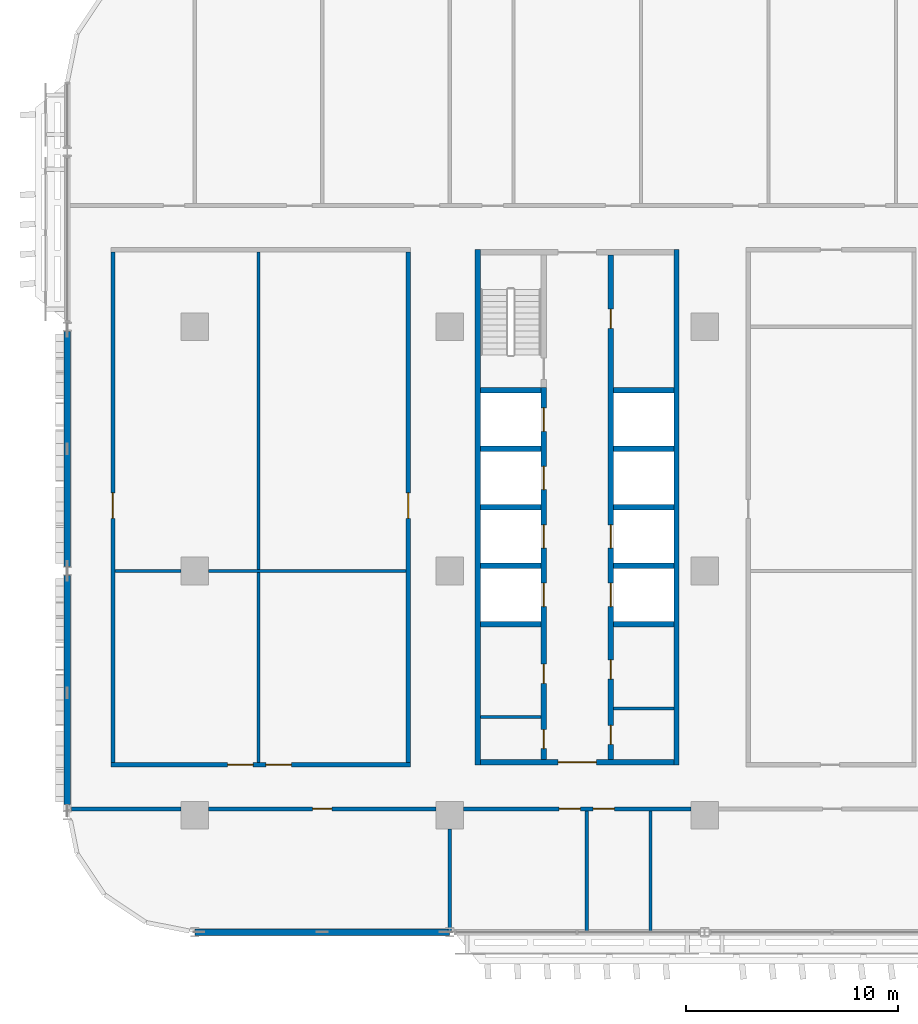
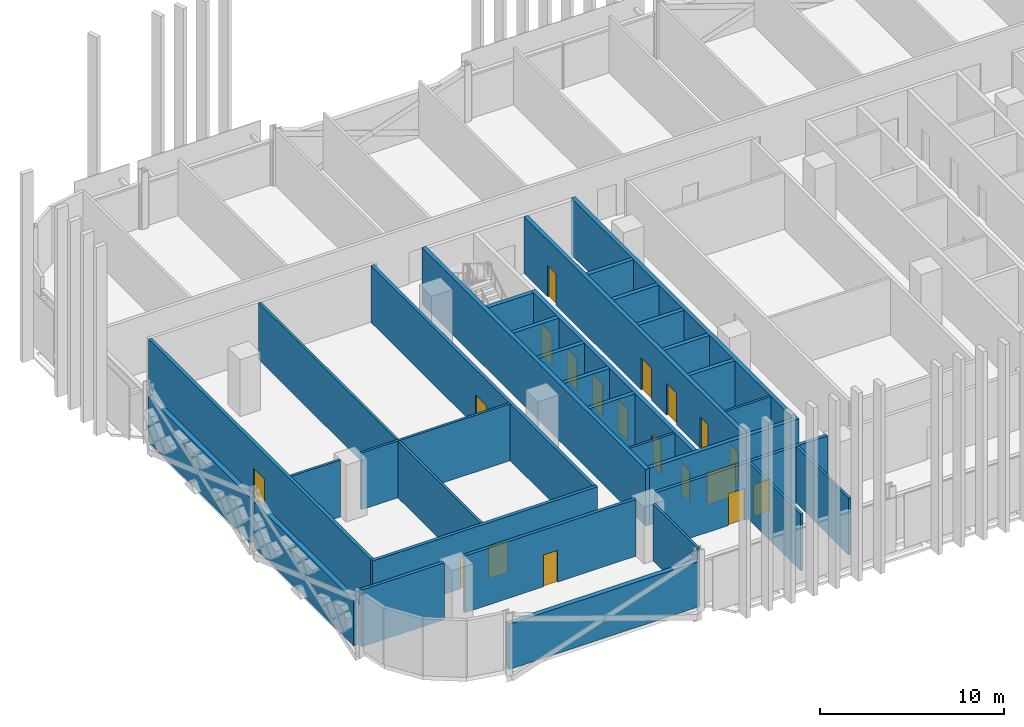
# One storey, part 11 of 33: 32 walls, 19 doors, 19 openings.
"""IFC4 building model written with IfcOpenShell, lengths in metres."""

from ifc_helpers import new_model, si_unit, direction, frame, frame_2d, origin, place, context, subcontext, project, spatial, rectangle, extrude, material, layer, layer_set, type_object, element, fill, save


model = new_model("IFC4")

# Units and contexts
model_context = context("Model", 3, precision=1e-05, world=origin(), true_north=direction((0.0, 1.0)))
body_context = subcontext(model_context, "Body", "Model", "MODEL_VIEW")
ifc_project = project(units=[si_unit("LENGTHUNIT", "METRE"), si_unit("AREAUNIT", "SQUARE_METRE"), si_unit("VOLUMEUNIT", "CUBIC_METRE"), si_unit("PLANEANGLEUNIT", "RADIAN"), si_unit("MASSUNIT", "GRAM", prefix="KILO")], contexts=[model_context])

# Site, building, storey
site_placement = place(None, origin())
site = spatial("IfcSite", under=ifc_project, at=site_placement, CompositionType="ELEMENT")
building_placement = place(site_placement, origin())
building = spatial("IfcBuilding", under=site, at=building_placement, Name="Mahtab Terrace Research Tower", CompositionType="ELEMENT")
storey_placement = place(building_placement, frame((0.0, 0.0, 122.0)))
storey = spatial("IfcBuildingStorey", under=building, at=storey_placement, Name="L28", CompositionType="ELEMENT", Elevation=122.0)

# Walls
ifc_material_1 = material(Name="Gypsum board partition")
ifc_layer_1 = layer(ifc_material_1, 0.14990234375)
ifc_layer_set_1 = layer_set([ifc_layer_1], Name="Core partition 150")
wall_type_1 = type_object("IfcWallType", Name="Core partition 150", PredefinedType="PARTITIONING", material=ifc_layer_set_1)
for number, where, z_axis, x_axis, name in (
    (1, (-28.550048828125, -6.875, 0.0), (0.0, 0.0, 1.0), (1.0, 0.0, 0.0), "Core wall A pWS-988"),
    (2, (-22.300048828125, -6.47509765625, 0.0), (0.0, 0.0, 1.0), (1.0, 0.0, 0.0), "Core wall A pES-948"),
):
    element("IfcWall", number, at=place(storey_placement, frame(where, z_axis=z_axis, x_axis=x_axis)), inside=storey, type_object=wall_type_1, Name=name, PredefinedType="PARTITIONING", context=body_context, shape_type="SweptSolid", body=[
        extrude(rectangle(XDim=2.85009765625, YDim=0.14990234375, at=frame_2d((1.425048828125, 0.0))), origin(), (0.0, 0.0, 1.0), 3.760009765625),
    ])
ifc_material_2 = material(Name="Concrete C70/85", Category="concrete")
ifc_layer_2 = layer(ifc_material_2, 0.25)
ifc_layer_set_2 = layer_set([ifc_layer_2], Name="Core wall 250")
wall_type_2 = type_object("IfcWallType", Name="Core wall 250", PredefinedType="SOLIDWALL", material=ifc_layer_set_2)
for number, where, z_axis, x_axis, name in (
    (3, (-28.675048828125, 15.125, 0.0), (0.0, 0.0, 1.0), (0.0, -1.0, 0.0), "Core wall A outerW"),
    (4, (-19.324951171875, -9.125, 0.0), (0.0, 0.0, 1.0), (0.0, 1.0, 0.0), "Core wall A outerE"),
):
    element("IfcWall", number, at=place(storey_placement, frame(where, z_axis=z_axis, x_axis=x_axis)), inside=storey, type_object=wall_type_2, Name=name, PredefinedType="SOLIDWALL", context=body_context, shape_type="SweptSolid", body=[
        extrude(rectangle(XDim=24.25, YDim=0.25, at=frame_2d((12.125, 0.0))), origin(), (0.0, 0.0, 1.0), 3.760009765625),
    ])

# Wall, opening, door
wall_1_placement = place(storey_placement, frame((-19.449951171875, -9.0, 0.0), z_axis=(0.0, 0.0, 1.0), x_axis=(-1.0, 0.0, 0.0)))
wall_1 = element("IfcWall", 5, at=wall_1_placement, inside=storey, type_object=wall_type_2, Name="Core wall A endS", PredefinedType="SOLIDWALL", context=body_context, shape_type="SweptSolid", body=[
    extrude(rectangle(XDim=9.10009765625, YDim=0.25, at=frame_2d((4.550048828125, 0.0))), origin(), (0.0, 0.0, 1.0), 3.760009765625),
])
opening_1_placement = place(wall_1_placement, frame((3.64990234375, 0.0, 0.0)))
opening_1 = element("IfcOpeningElement", 6, at=opening_1_placement, cuts=wall_1, Name="Opening A-S1", PredefinedType="OPENING", context=body_context, shape_type="SweptSolid", body=[
    extrude(rectangle(XDim=1.800048828125, YDim=2.10009765625, at=frame_2d((0.89990234375, 1.050048828125))), frame((0.0, 0.135009765625, 0.0), z_axis=(0.0, -1.0, 0.0), x_axis=(1.0, 0.0, 0.0)), (0.0, 0.0, 1.0), 0.27001953125),
])
ifc_material_3 = material(Name="Steel fire door", Category="steel")
door_type_1 = type_object("IfcDoorType", Name="Lobby double door 1800x2100 1 HR", OperationType="DOUBLE_DOOR_SINGLE_SWING", PredefinedType="DOOR", material=ifc_material_3)
door_1_placement = place(opening_1_placement, origin())
door_1 = element("IfcDoor", 7, at=door_1_placement, inside=storey, type_object=door_type_1, Name="Core entrance door A S", OperationType="DOUBLE_DOOR_SINGLE_SWING", OverallHeight=2.10009765625, OverallWidth=1.800048828125, PredefinedType="DOOR", context=body_context, shape_type="SweptSolid", body=[
    extrude(rectangle(XDim=1.800048828125, YDim=2.10009765625, at=frame_2d((0.89990234375, 1.050048828125))), frame((0.0, 0.02490234375, 0.0), z_axis=(0.0, -1.0, 0.0), x_axis=(1.0, 0.0, 0.0)), (0.0, 0.0, 1.0), 0.050048828125),
])
fill(opening_1, door_1)

# Wall, openings, doors
wall_2_placement = place(storey_placement, frame((-25.574951171875, -8.875, 0.0), z_axis=(0.0, 0.0, 1.0), x_axis=(0.0, 1.0, 0.0)))
wall_2 = element("IfcWall", 8, at=wall_2_placement, inside=storey, type_object=wall_type_2, Name="Core wall A innerWSL", PredefinedType="SOLIDWALL", context=body_context, shape_type="SweptSolid", body=[
    extrude(rectangle(XDim=17.5, YDim=0.25, at=frame_2d((8.75, 0.0))), origin(), (0.0, 0.0, 1.0), 3.760009765625),
])
opening_2_placement = place(wall_2_placement, frame((7.199951171875, 0.0, 0.0)))
opening_2 = element("IfcOpeningElement", 9, at=opening_2_placement, cuts=wall_2, Name="Opening LD01-L28", PredefinedType="OPENING", context=body_context, shape_type="SweptSolid", body=[
    extrude(rectangle(XDim=1.10009765625, YDim=2.10009765625, at=frame_2d((0.550048828125, 1.050048828125))), frame((0.0, 0.135009765625, 0.0), z_axis=(0.0, -1.0, 0.0), x_axis=(1.0, 0.0, 0.0)), (0.0, 0.0, 1.0), 0.27001953125),
])
opening_3_placement = place(wall_2_placement, frame((9.949951171875, 0.0, 0.0)))
opening_3 = element("IfcOpeningElement", 10, at=opening_3_placement, cuts=wall_2, Name="Opening LD02-L28", PredefinedType="OPENING", context=body_context, shape_type="SweptSolid", body=[
    extrude(rectangle(XDim=1.10009765625, YDim=2.10009765625, at=frame_2d((0.550048828125, 1.050048828125))), frame((0.0, 0.135009765625, 0.0), z_axis=(0.0, -1.0, 0.0), x_axis=(1.0, 0.0, 0.0)), (0.0, 0.0, 1.0), 0.27001953125),
])
opening_4_placement = place(wall_2_placement, frame((12.699951171875, 0.0, 0.0)))
opening_4 = element("IfcOpeningElement", 11, at=opening_4_placement, cuts=wall_2, Name="Opening LD03-L28", PredefinedType="OPENING", context=body_context, shape_type="SweptSolid", body=[
    extrude(rectangle(XDim=1.10009765625, YDim=2.10009765625, at=frame_2d((0.550048828125, 1.050048828125))), frame((0.0, 0.135009765625, 0.0), z_axis=(0.0, -1.0, 0.0), x_axis=(1.0, 0.0, 0.0)), (0.0, 0.0, 1.0), 0.27001953125),
])
opening_5_placement = place(wall_2_placement, frame((15.449951171875, 0.0, 0.0)))
opening_5 = element("IfcOpeningElement", 12, at=opening_5_placement, cuts=wall_2, Name="Opening LD04-L28", PredefinedType="OPENING", context=body_context, shape_type="SweptSolid", body=[
    extrude(rectangle(XDim=1.10009765625, YDim=2.10009765625, at=frame_2d((0.550048828125, 1.050048828125))), frame((0.0, 0.135009765625, 0.0), z_axis=(0.0, -1.0, 0.0), x_axis=(1.0, 0.0, 0.0)), (0.0, 0.0, 1.0), 0.27001953125),
])
opening_6_placement = place(wall_2_placement, frame((0.512451171875, 0.0, 0.0)))
opening_6 = element("IfcOpeningElement", 13, at=opening_6_placement, cuts=wall_2, Name="Opening A-R1", PredefinedType="OPENING", context=body_context, shape_type="SweptSolid", body=[
    extrude(rectangle(XDim=0.89990234375, YDim=2.10009765625, at=frame_2d((0.449951171875, 1.050048828125))), frame((0.0, 0.135009765625, 0.0), z_axis=(0.0, -1.0, 0.0), x_axis=(1.0, 0.0, 0.0)), (0.0, 0.0, 1.0), 0.27001953125),
])
opening_7_placement = place(wall_2_placement, frame((3.58740234375, 0.0, 0.0)))
opening_7 = element("IfcOpeningElement", 14, at=opening_7_placement, cuts=wall_2, Name="Opening A-R2", PredefinedType="OPENING", context=body_context, shape_type="SweptSolid", body=[
    extrude(rectangle(XDim=0.89990234375, YDim=2.10009765625, at=frame_2d((0.449951171875, 1.050048828125))), frame((0.0, 0.135009765625, 0.0), z_axis=(0.0, -1.0, 0.0), x_axis=(1.0, 0.0, 0.0)), (0.0, 0.0, 1.0), 0.27001953125),
])
ifc_material_4 = material(Name="Stainless steel AISI 304", Category="steel")
door_type_2 = type_object("IfcDoorType", Name="Landing door 1100x2100", OperationType="DOUBLE_DOOR_SLIDING", PredefinedType="DOOR", material=ifc_material_4)
door_2_placement = place(opening_2_placement, origin())
door_2 = element("IfcDoor", 15, at=door_2_placement, inside=storey, type_object=door_type_2, Name="Landing door LR1 L28", OperationType="DOUBLE_DOOR_SLIDING", OverallHeight=2.10009765625, OverallWidth=1.10009765625, PredefinedType="DOOR", context=body_context, shape_type="SweptSolid", body=[
    extrude(rectangle(XDim=1.10009765625, YDim=2.10009765625, at=frame_2d((0.550048828125, 1.050048828125))), frame((0.0, 0.02490234375, 0.0), z_axis=(0.0, -1.0, 0.0), x_axis=(1.0, 0.0, 0.0)), (0.0, 0.0, 1.0), 0.050048828125),
])
fill(opening_2, door_2)
door_3_placement = place(opening_3_placement, origin())
door_3 = element("IfcDoor", 16, at=door_3_placement, inside=storey, type_object=door_type_2, Name="Landing door LR2 L28", OperationType="DOUBLE_DOOR_SLIDING", OverallHeight=2.10009765625, OverallWidth=1.10009765625, PredefinedType="DOOR", context=body_context, shape_type="SweptSolid", body=[
    extrude(rectangle(XDim=1.10009765625, YDim=2.10009765625, at=frame_2d((0.550048828125, 1.050048828125))), frame((0.0, 0.02490234375, 0.0), z_axis=(0.0, -1.0, 0.0), x_axis=(1.0, 0.0, 0.0)), (0.0, 0.0, 1.0), 0.050048828125),
])
fill(opening_3, door_3)
door_4_placement = place(opening_4_placement, origin())
door_4 = element("IfcDoor", 17, at=door_4_placement, inside=storey, type_object=door_type_2, Name="Landing door LR3 L28", OperationType="DOUBLE_DOOR_SLIDING", OverallHeight=2.10009765625, OverallWidth=1.10009765625, PredefinedType="DOOR", context=body_context, shape_type="SweptSolid", body=[
    extrude(rectangle(XDim=1.10009765625, YDim=2.10009765625, at=frame_2d((0.550048828125, 1.050048828125))), frame((0.0, 0.02490234375, 0.0), z_axis=(0.0, -1.0, 0.0), x_axis=(1.0, 0.0, 0.0)), (0.0, 0.0, 1.0), 0.050048828125),
])
fill(opening_4, door_4)
door_5_placement = place(opening_5_placement, origin())
door_5 = element("IfcDoor", 18, at=door_5_placement, inside=storey, type_object=door_type_2, Name="Landing door LR4 L28", OperationType="DOUBLE_DOOR_SLIDING", OverallHeight=2.10009765625, OverallWidth=1.10009765625, PredefinedType="DOOR", context=body_context, shape_type="SweptSolid", body=[
    extrude(rectangle(XDim=1.10009765625, YDim=2.10009765625, at=frame_2d((0.550048828125, 1.050048828125))), frame((0.0, 0.02490234375, 0.0), z_axis=(0.0, -1.0, 0.0), x_axis=(1.0, 0.0, 0.0)), (0.0, 0.0, 1.0), 0.050048828125),
])
fill(opening_5, door_5)
door_type_3 = type_object("IfcDoorType", Name="Room door 900x2100 1 HR", OperationType="NOTDEFINED", PredefinedType="DOOR", material=ifc_material_3)
door_6_placement = place(opening_6_placement, origin())
door_6 = element("IfcDoor", 19, at=door_6_placement, inside=storey, type_object=door_type_3, Name="Accessible WC door", OperationType="SINGLE_SWING_LEFT", OverallHeight=2.10009765625, OverallWidth=0.89990234375, PredefinedType="DOOR", context=body_context, shape_type="SweptSolid", body=[
    extrude(rectangle(XDim=0.89990234375, YDim=2.10009765625, at=frame_2d((0.449951171875, 1.050048828125))), frame((0.0, 0.02490234375, 0.0), z_axis=(0.0, -1.0, 0.0), x_axis=(1.0, 0.0, 0.0)), (0.0, 0.0, 1.0), 0.050048828125),
])
fill(opening_6, door_6)
door_7_placement = place(opening_7_placement, origin())
door_7 = element("IfcDoor", 20, at=door_7_placement, inside=storey, type_object=door_type_3, Name="WC block door", OperationType="SINGLE_SWING_RIGHT", OverallHeight=2.10009765625, OverallWidth=0.89990234375, PredefinedType="DOOR", context=body_context, shape_type="SweptSolid", body=[
    extrude(rectangle(XDim=0.89990234375, YDim=2.10009765625, at=frame_2d((0.449951171875, 1.050048828125))), frame((0.0, 0.02490234375, 0.0), z_axis=(0.0, -1.0, 0.0), x_axis=(1.0, 0.0, 0.0)), (0.0, 0.0, 1.0), 0.050048828125),
])
fill(opening_7, door_7)

wall_3_placement = place(storey_placement, frame((-22.425048828125, 14.875, 0.0), z_axis=(0.0, 0.0, 1.0), x_axis=(0.0, -1.0, 0.0)))
wall_3 = element("IfcWall", 21, at=wall_3_placement, inside=storey, type_object=wall_type_2, Name="Core wall A innerESLN", PredefinedType="SOLIDWALL", context=body_context, shape_type="SweptSolid", body=[
    extrude(rectangle(XDim=23.75, YDim=0.25, at=frame_2d((11.875, 0.0))), origin(), (0.0, 0.0, 1.0), 3.760009765625),
])
opening_8_placement = place(wall_3_placement, frame((15.449951171875, 0.0, 0.0)))
opening_8 = element("IfcOpeningElement", 22, at=opening_8_placement, cuts=wall_3, Name="Opening LD05-L28", PredefinedType="OPENING", context=body_context, shape_type="SweptSolid", body=[
    extrude(rectangle(XDim=1.10009765625, YDim=2.10009765625, at=frame_2d((0.550048828125, 1.050048828125))), frame((0.0, 0.135009765625, 0.0), z_axis=(0.0, -1.0, 0.0), x_axis=(1.0, 0.0, 0.0)), (0.0, 0.0, 1.0), 0.27001953125),
])
opening_9_placement = place(wall_3_placement, frame((12.699951171875, 0.0, 0.0)))
opening_9 = element("IfcOpeningElement", 23, at=opening_9_placement, cuts=wall_3, Name="Opening LD06-L28", PredefinedType="OPENING", context=body_context, shape_type="SweptSolid", body=[
    extrude(rectangle(XDim=1.10009765625, YDim=2.10009765625, at=frame_2d((0.550048828125, 1.050048828125))), frame((0.0, 0.135009765625, 0.0), z_axis=(0.0, -1.0, 0.0), x_axis=(1.0, 0.0, 0.0)), (0.0, 0.0, 1.0), 0.27001953125),
])
opening_10_placement = place(wall_3_placement, frame((22.137451171875, 0.0, 0.0)))
opening_10 = element("IfcOpeningElement", 24, at=opening_10_placement, cuts=wall_3, Name="Opening A-R3", PredefinedType="OPENING", context=body_context, shape_type="SweptSolid", body=[
    extrude(rectangle(XDim=0.89990234375, YDim=2.10009765625, at=frame_2d((0.449951171875, 1.050048828125))), frame((0.0, 0.135009765625, 0.0), z_axis=(0.0, -1.0, 0.0), x_axis=(1.0, 0.0, 0.0)), (0.0, 0.0, 1.0), 0.27001953125),
])
opening_11_placement = place(wall_3_placement, frame((19.0625, 0.0, 0.0)))
opening_11 = element("IfcOpeningElement", 25, at=opening_11_placement, cuts=wall_3, Name="Opening A-R4", PredefinedType="OPENING", context=body_context, shape_type="SweptSolid", body=[
    extrude(rectangle(XDim=0.89990234375, YDim=2.10009765625, at=frame_2d((0.449951171875, 1.050048828125))), frame((0.0, 0.135009765625, 0.0), z_axis=(0.0, -1.0, 0.0), x_axis=(1.0, 0.0, 0.0)), (0.0, 0.0, 1.0), 0.27001953125),
])
opening_12_placement = place(wall_3_placement, frame((2.550048828125, 0.0, 0.0)))
opening_12 = element("IfcOpeningElement", 26, at=opening_12_placement, cuts=wall_3, Name="Opening A-R5", PredefinedType="OPENING", context=body_context, shape_type="SweptSolid", body=[
    extrude(rectangle(XDim=0.89990234375, YDim=2.10009765625, at=frame_2d((0.449951171875, 1.050048828125))), frame((0.0, 0.135009765625, 0.0), z_axis=(0.0, -1.0, 0.0), x_axis=(1.0, 0.0, 0.0)), (0.0, 0.0, 1.0), 0.27001953125),
])
door_8_placement = place(opening_8_placement, origin())
door_8 = element("IfcDoor", 27, at=door_8_placement, inside=storey, type_object=door_type_2, Name="Landing door LR5 L28", OperationType="DOUBLE_DOOR_SLIDING", OverallHeight=2.10009765625, OverallWidth=1.10009765625, PredefinedType="DOOR", context=body_context, shape_type="SweptSolid", body=[
    extrude(rectangle(XDim=1.10009765625, YDim=2.10009765625, at=frame_2d((0.550048828125, 1.050048828125))), frame((0.0, 0.02490234375, 0.0), z_axis=(0.0, -1.0, 0.0), x_axis=(1.0, 0.0, 0.0)), (0.0, 0.0, 1.0), 0.050048828125),
])
fill(opening_8, door_8)
door_9_placement = place(opening_9_placement, origin())
door_9 = element("IfcDoor", 28, at=door_9_placement, inside=storey, type_object=door_type_2, Name="Landing door LR6 L28", OperationType="DOUBLE_DOOR_SLIDING", OverallHeight=2.10009765625, OverallWidth=1.10009765625, PredefinedType="DOOR", context=body_context, shape_type="SweptSolid", body=[
    extrude(rectangle(XDim=1.10009765625, YDim=2.10009765625, at=frame_2d((0.550048828125, 1.050048828125))), frame((0.0, 0.02490234375, 0.0), z_axis=(0.0, -1.0, 0.0), x_axis=(1.0, 0.0, 0.0)), (0.0, 0.0, 1.0), 0.050048828125),
])
fill(opening_9, door_9)
door_10_placement = place(opening_10_placement, origin())
door_10 = element("IfcDoor", 29, at=door_10_placement, inside=storey, type_object=door_type_3, Name="Mechanical riser room door", OperationType="SINGLE_SWING_LEFT", OverallHeight=2.10009765625, OverallWidth=0.89990234375, PredefinedType="DOOR", context=body_context, shape_type="SweptSolid", body=[
    extrude(rectangle(XDim=0.89990234375, YDim=2.10009765625, at=frame_2d((0.449951171875, 1.050048828125))), frame((0.0, 0.02490234375, 0.0), z_axis=(0.0, -1.0, 0.0), x_axis=(1.0, 0.0, 0.0)), (0.0, 0.0, 1.0), 0.050048828125),
])
fill(opening_10, door_10)
door_11_placement = place(opening_11_placement, origin())
door_11 = element("IfcDoor", 30, at=door_11_placement, inside=storey, type_object=door_type_3, Name="Chemical store door", OperationType="SINGLE_SWING_RIGHT", OverallHeight=2.10009765625, OverallWidth=0.89990234375, PredefinedType="DOOR", context=body_context, shape_type="SweptSolid", body=[
    extrude(rectangle(XDim=0.89990234375, YDim=2.10009765625, at=frame_2d((0.449951171875, 1.050048828125))), frame((0.0, 0.02490234375, 0.0), z_axis=(0.0, -1.0, 0.0), x_axis=(1.0, 0.0, 0.0)), (0.0, 0.0, 1.0), 0.050048828125),
])
fill(opening_11, door_11)
door_12_placement = place(opening_12_placement, origin())
door_12 = element("IfcDoor", 31, at=door_12_placement, inside=storey, type_object=door_type_3, Name="Gas cylinder store door", OperationType="SINGLE_SWING_LEFT", OverallHeight=2.10009765625, OverallWidth=0.89990234375, PredefinedType="DOOR", context=body_context, shape_type="SweptSolid", body=[
    extrude(rectangle(XDim=0.89990234375, YDim=2.10009765625, at=frame_2d((0.449951171875, 1.050048828125))), frame((0.0, 0.02490234375, 0.0), z_axis=(0.0, -1.0, 0.0), x_axis=(1.0, 0.0, 0.0)), (0.0, 0.0, 1.0), 0.050048828125),
])
fill(opening_12, door_12)

# Walls
for number, where, z_axis, x_axis, name in (
    (32, (-28.550048828125, -2.5, 0.0), (0.0, 0.0, 1.0), (1.0, 0.0, 0.0), "Core wall A divW0"),
    (33, (-28.550048828125, 0.25, 0.0), (0.0, 0.0, 1.0), (1.0, 0.0, 0.0), "Core wall A divW1"),
    (34, (-28.550048828125, 3.0, 0.0), (0.0, 0.0, 1.0), (1.0, 0.0, 0.0), "Core wall A divW2"),
    (35, (-28.550048828125, 5.75, 0.0), (0.0, 0.0, 1.0), (1.0, 0.0, 0.0), "Core wall A divW3"),
    (36, (-28.550048828125, 8.5, 0.0), (0.0, 0.0, 1.0), (1.0, 0.0, 0.0), "Core wall A divW4"),
    (37, (-22.300048828125, -2.5, 0.0), (0.0, 0.0, 1.0), (1.0, 0.0, 0.0), "Core wall A divE0"),
    (38, (-22.300048828125, 0.25, 0.0), (0.0, 0.0, 1.0), (1.0, 0.0, 0.0), "Core wall A divE1"),
    (39, (-22.300048828125, 3.0, 0.0), (0.0, 0.0, 1.0), (1.0, 0.0, 0.0), "Core wall A divE2"),
    (40, (-22.300048828125, 5.75, 0.0), (0.0, 0.0, 1.0), (1.0, 0.0, 0.0), "Core wall A divE3"),
    (41, (-22.300048828125, 8.5, 0.0), (0.0, 0.0, 1.0), (1.0, 0.0, 0.0), "Core wall A divE4"),
):
    element("IfcWall", number, at=place(storey_placement, frame(where, z_axis=z_axis, x_axis=x_axis)), inside=storey, type_object=wall_type_2, Name=name, PredefinedType="SOLIDWALL", context=body_context, shape_type="SweptSolid", body=[
        extrude(rectangle(XDim=2.85009765625, YDim=0.25, at=frame_2d((1.425048828125, 0.0))), origin(), (0.0, 0.0, 1.0), 3.760009765625),
    ])
ifc_material_5 = material(Name="Black aluminium cladding panel", Category="aluminium")
ifc_layer_3 = layer(ifc_material_5, 0.300048828125)
ifc_layer_set_3 = layer_set([ifc_layer_3], Name="Opaque facade wall 300")
wall_type_3 = type_object("IfcWallType", Name="Opaque facade wall 300", PredefinedType="NOTDEFINED", material=ifc_layer_set_3)
wall_4_placement = place(storey_placement, frame((-48.0, 11.281982421875, 0.0), z_axis=(0.0, 0.0, 1.0), x_axis=(0.0, -1.0, 0.0)))
element("IfcWall", 42, at=wall_4_placement, inside=storey, type_object=wall_type_3, Name="Opaque facade wall L28 W17", PredefinedType="NOTDEFINED", context=body_context, shape_type="SweptSolid", body=[
    extrude(rectangle(XDim=11.06396484375, YDim=0.300048828125, at=frame_2d((5.531982421875, 0.0))), origin(), (0.0, 0.0, 1.0), 3.003173828125),
])
wall_5_placement = place(storey_placement, frame((-48.0, -0.218017578125, 0.0), z_axis=(0.0, 0.0, 1.0), x_axis=(0.0, -1.0, 0.0)))
element("IfcWall", 43, at=wall_5_placement, inside=storey, type_object=wall_type_3, Name="Opaque facade wall L28 W18", PredefinedType="NOTDEFINED", context=body_context, shape_type="SweptSolid", body=[
    extrude(rectangle(XDim=10.781982421875, YDim=0.300048828125, at=frame_2d((5.39111328125, 0.0))), origin(), (0.0, 0.0, 1.0), 3.003173828125),
])
wall_6_placement = place(storey_placement, frame((-41.982177734375, -17.0, 0.0), z_axis=(0.0, 0.0, 1.0), x_axis=(1.0, 0.0, 0.0)))
element("IfcWall", 44, at=wall_6_placement, inside=storey, type_object=wall_type_3, Name="Opaque facade wall L28 S24", PredefinedType="NOTDEFINED", context=body_context, shape_type="SweptSolid", body=[
    extrude(rectangle(XDim=11.96435546875, YDim=0.300048828125, at=frame_2d((5.982177734375, 0.0))), origin(), (0.0, 0.0, 1.0), 3.003173828125),
])
ifc_material_6 = material(Name="Gypsum board corridor wall on steel studs", Category="steel")
ifc_layer_4 = layer(ifc_material_6, 0.199951171875)
ifc_layer_set_4 = layer_set([ifc_layer_4], Name="WALL CORRIDOR 200")
wall_type_4 = type_object("IfcWallType", Name="WALL CORRIDOR 200", PredefinedType="PARTITIONING", material=ifc_layer_set_4)
wall_7_placement = place(storey_placement, frame((-47.807373046875, -11.199951171875, 0.0), z_axis=(0.0, 0.0, 1.0), x_axis=(1.0, 0.0, 0.0)))
element("IfcWall", 45, at=wall_7_placement, inside=storey, type_object=wall_type_4, Name="L28-W001", PredefinedType="PARTITIONING", context=body_context, shape_type="SweptSolid", body=[
    extrude(rectangle(XDim=5.157470703125, YDim=0.199951171875, at=frame_2d((2.57861328125, 0.0))), origin(), (0.0, 0.0, 1.0), 3.760009765625),
])

# Wall, opening, door
wall_8_placement = place(storey_placement, frame((-41.35009765625, -11.199951171875, 0.0), z_axis=(0.0, 0.0, 1.0), x_axis=(1.0, 0.0, 0.0)))
wall_8 = element("IfcWall", 46, at=wall_8_placement, inside=storey, type_object=wall_type_4, Name="L28-W002", PredefinedType="PARTITIONING", context=body_context, shape_type="SweptSolid", body=[
    extrude(rectangle(XDim=10.7001953125, YDim=0.199951171875, at=frame_2d((5.35009765625, 0.0))), origin(), (0.0, 0.0, 1.0), 3.760009765625),
])
opening_13_placement = place(wall_8_placement, frame((4.89990234375, 0.0, 0.0)))
opening_13 = element("IfcOpeningElement", 47, at=opening_13_placement, cuts=wall_8, Name="Opening L28-101", PredefinedType="OPENING", context=body_context, shape_type="SweptSolid", body=[
    extrude(rectangle(XDim=0.89990234375, YDim=2.10009765625, at=frame_2d((0.449951171875, 1.050048828125))), frame((0.0, 0.10986328125, 0.0), z_axis=(0.0, -1.0, 0.0), x_axis=(1.0, 0.0, 0.0)), (0.0, 0.0, 1.0), 0.219970703125),
])
ifc_material_7 = material(Name="Timber door leaf in steel frame", Category="steel")
door_type_4 = type_object("IfcDoorType", Name="DOOR 0900X2100 FD30S", OperationType="SINGLE_SWING_LEFT", PredefinedType="DOOR", material=ifc_material_7)
door_13_placement = place(opening_13_placement, origin())
door_13 = element("IfcDoor", 48, at=door_13_placement, inside=storey, type_object=door_type_4, Name="Door L28-101", OperationType="SINGLE_SWING_RIGHT", OverallHeight=2.10009765625, OverallWidth=0.89990234375, PredefinedType="DOOR", context=body_context, shape_type="SweptSolid", body=[
    extrude(rectangle(XDim=0.89990234375, YDim=2.10009765625, at=frame_2d((0.449951171875, 1.050048828125))), frame((0.0, 0.02490234375, 0.0), z_axis=(0.0, -1.0, 0.0), x_axis=(1.0, 0.0, 0.0)), (0.0, 0.0, 1.0), 0.050048828125),
])
fill(opening_13, door_13)

# Wall, openings, doors
wall_9_placement = place(storey_placement, frame((-29.35009765625, -11.199951171875, 0.0), z_axis=(0.0, 0.0, 1.0), x_axis=(1.0, 0.0, 0.0)))
wall_9 = element("IfcWall", 49, at=wall_9_placement, inside=storey, type_object=wall_type_4, Name="L28-W003", PredefinedType="PARTITIONING", context=body_context, shape_type="SweptSolid", body=[
    extrude(rectangle(XDim=10.7001953125, YDim=0.199951171875, at=frame_2d((5.35009765625, 0.0))), origin(), (0.0, 0.0, 1.0), 3.760009765625),
])
opening_14_placement = place(wall_9_placement, frame((4.5, 0.0, 0.0)))
opening_14 = element("IfcOpeningElement", 50, at=opening_14_placement, cuts=wall_9, Name="Opening L28-102", PredefinedType="OPENING", context=body_context, shape_type="SweptSolid", body=[
    extrude(rectangle(XDim=1.0, YDim=2.10009765625, at=frame_2d((0.5, 1.050048828125))), frame((0.0, 0.10986328125, 0.0), z_axis=(0.0, -1.0, 0.0), x_axis=(1.0, 0.0, 0.0)), (0.0, 0.0, 1.0), 0.219970703125),
])
opening_15_placement = place(wall_9_placement, frame((6.10009765625, 0.0, 0.0)))
opening_15 = element("IfcOpeningElement", 51, at=opening_15_placement, cuts=wall_9, Name="Opening L28-103", PredefinedType="OPENING", context=body_context, shape_type="SweptSolid", body=[
    extrude(rectangle(XDim=1.0, YDim=2.10009765625, at=frame_2d((0.5, 1.050048828125))), frame((0.0, 0.10986328125, 0.0), z_axis=(0.0, -1.0, 0.0), x_axis=(1.0, 0.0, 0.0)), (0.0, 0.0, 1.0), 0.219970703125),
])
door_type_5 = type_object("IfcDoorType", Name="DOOR 1000X2100 FD30S", OperationType="SINGLE_SWING_LEFT", PredefinedType="DOOR", material=ifc_material_7)
door_14_placement = place(opening_14_placement, origin())
door_14 = element("IfcDoor", 52, at=door_14_placement, inside=storey, type_object=door_type_5, Name="Door L28-102", OperationType="SINGLE_SWING_RIGHT", OverallHeight=2.10009765625, OverallWidth=1.0, PredefinedType="DOOR", context=body_context, shape_type="SweptSolid", body=[
    extrude(rectangle(XDim=1.0, YDim=2.10009765625, at=frame_2d((0.5, 1.050048828125))), frame((0.0, 0.02490234375, 0.0), z_axis=(0.0, -1.0, 0.0), x_axis=(1.0, 0.0, 0.0)), (0.0, 0.0, 1.0), 0.050048828125),
])
fill(opening_14, door_14)
door_15_placement = place(opening_15_placement, origin())
door_15 = element("IfcDoor", 53, at=door_15_placement, inside=storey, type_object=door_type_5, Name="Door L28-103", OperationType="SINGLE_SWING_LEFT", OverallHeight=2.10009765625, OverallWidth=1.0, PredefinedType="DOOR", context=body_context, shape_type="SweptSolid", body=[
    extrude(rectangle(XDim=1.0, YDim=2.10009765625, at=frame_2d((0.5, 1.050048828125))), frame((0.0, 0.02490234375, 0.0), z_axis=(0.0, -1.0, 0.0), x_axis=(1.0, 0.0, 0.0)), (0.0, 0.0, 1.0), 0.050048828125),
])
fill(opening_15, door_15)

wall_10_placement = place(storey_placement, frame((-45.949951171875, -9.125, 0.0), z_axis=(0.0, 0.0, 1.0), x_axis=(1.0, 0.0, 0.0)))
wall_10 = element("IfcWall", 54, at=wall_10_placement, inside=storey, type_object=wall_type_4, Name="L28-W010", PredefinedType="PARTITIONING", context=body_context, shape_type="SweptSolid", body=[
    extrude(rectangle(XDim=14.099853515625, YDim=0.199951171875, at=frame_2d((7.0498046875, 0.0))), origin(), (0.0, 0.0, 1.0), 3.760009765625),
])
opening_16_placement = place(wall_10_placement, frame((5.5, 0.0, 0.0)))
opening_16 = element("IfcOpeningElement", 55, at=opening_16_placement, cuts=wall_10, Name="Opening L28-111", PredefinedType="OPENING", context=body_context, shape_type="SweptSolid", body=[
    extrude(rectangle(XDim=1.199951171875, YDim=2.10009765625, at=frame_2d((0.60009765625, 1.050048828125))), frame((0.0, 0.10986328125, 0.0), z_axis=(0.0, -1.0, 0.0), x_axis=(1.0, 0.0, 0.0)), (0.0, 0.0, 1.0), 0.219970703125),
])
opening_17_placement = place(wall_10_placement, frame((7.300048828125, 0.0, 0.0)))
opening_17 = element("IfcOpeningElement", 56, at=opening_17_placement, cuts=wall_10, Name="Opening L28-112", PredefinedType="OPENING", context=body_context, shape_type="SweptSolid", body=[
    extrude(rectangle(XDim=1.199951171875, YDim=2.10009765625, at=frame_2d((0.60009765625, 1.050048828125))), frame((0.0, 0.10986328125, 0.0), z_axis=(0.0, -1.0, 0.0), x_axis=(1.0, 0.0, 0.0)), (0.0, 0.0, 1.0), 0.219970703125),
])
door_type_6 = type_object("IfcDoorType", Name="DOOR 1200X2100 FD30S", OperationType="SINGLE_SWING_LEFT", PredefinedType="DOOR", material=ifc_material_7)
door_16_placement = place(opening_16_placement, origin())
door_16 = element("IfcDoor", 57, at=door_16_placement, inside=storey, type_object=door_type_6, Name="Door L28-111", OperationType="SINGLE_SWING_LEFT", OverallHeight=2.10009765625, OverallWidth=1.199951171875, PredefinedType="DOOR", context=body_context, shape_type="SweptSolid", body=[
    extrude(rectangle(XDim=1.199951171875, YDim=2.10009765625, at=frame_2d((0.60009765625, 1.050048828125))), frame((0.0, 0.02490234375, 0.0), z_axis=(0.0, -1.0, 0.0), x_axis=(1.0, 0.0, 0.0)), (0.0, 0.0, 1.0), 0.050048828125),
])
fill(opening_16, door_16)
door_17_placement = place(opening_17_placement, origin())
door_17 = element("IfcDoor", 58, at=door_17_placement, inside=storey, type_object=door_type_6, Name="Door L28-112", OperationType="SINGLE_SWING_RIGHT", OverallHeight=2.10009765625, OverallWidth=1.199951171875, PredefinedType="DOOR", context=body_context, shape_type="SweptSolid", body=[
    extrude(rectangle(XDim=1.199951171875, YDim=2.10009765625, at=frame_2d((0.60009765625, 1.050048828125))), frame((0.0, 0.02490234375, 0.0), z_axis=(0.0, -1.0, 0.0), x_axis=(1.0, 0.0, 0.0)), (0.0, 0.0, 1.0), 0.050048828125),
])
fill(opening_17, door_17)

# Wall, opening, door
wall_11_placement = place(storey_placement, frame((-45.85009765625, -9.02490234375, 0.0), z_axis=(0.0, 0.0, 1.0), x_axis=(0.0, 1.0, 0.0)))
wall_11 = element("IfcWall", 59, at=wall_11_placement, inside=storey, type_object=wall_type_4, Name="L28-W028", PredefinedType="PARTITIONING", context=body_context, shape_type="SweptSolid", body=[
    extrude(rectangle(XDim=24.0498046875, YDim=0.199951171875, at=frame_2d((12.02490234375, 0.0))), origin(), (0.0, 0.0, 1.0), 3.760009765625),
])
opening_18_placement = place(wall_11_placement, frame((11.5, 0.0, 0.0)))
opening_18 = element("IfcOpeningElement", 60, at=opening_18_placement, cuts=wall_11, Name="Opening L28-120", PredefinedType="OPENING", context=body_context, shape_type="SweptSolid", body=[
    extrude(rectangle(XDim=1.199951171875, YDim=2.10009765625, at=frame_2d((0.60009765625, 1.050048828125))), frame((0.0, 0.10986328125, 0.0), z_axis=(0.0, -1.0, 0.0), x_axis=(1.0, 0.0, 0.0)), (0.0, 0.0, 1.0), 0.219970703125),
])
door_18_placement = place(opening_18_placement, origin())
door_18 = element("IfcDoor", 61, at=door_18_placement, inside=storey, type_object=door_type_6, Name="Door L28-120", OperationType="SINGLE_SWING_LEFT", OverallHeight=2.10009765625, OverallWidth=1.199951171875, PredefinedType="DOOR", context=body_context, shape_type="SweptSolid", body=[
    extrude(rectangle(XDim=1.199951171875, YDim=2.10009765625, at=frame_2d((0.60009765625, 1.050048828125))), frame((0.0, 0.02490234375, 0.0), z_axis=(0.0, -1.0, 0.0), x_axis=(1.0, 0.0, 0.0)), (0.0, 0.0, 1.0), 0.050048828125),
])
fill(opening_18, door_18)

wall_12_placement = place(storey_placement, frame((-31.949951171875, -9.02490234375, 0.0), z_axis=(0.0, 0.0, 1.0), x_axis=(0.0, 1.0, 0.0)))
wall_12 = element("IfcWall", 62, at=wall_12_placement, inside=storey, type_object=wall_type_4, Name="L28-W032", PredefinedType="PARTITIONING", context=body_context, shape_type="SweptSolid", body=[
    extrude(rectangle(XDim=24.0498046875, YDim=0.199951171875, at=frame_2d((12.02490234375, 0.0))), origin(), (0.0, 0.0, 1.0), 3.760009765625),
])
opening_19_placement = place(wall_12_placement, frame((11.5, 0.0, 0.0)))
opening_19 = element("IfcOpeningElement", 63, at=opening_19_placement, cuts=wall_12, Name="Opening L28-121", PredefinedType="OPENING", context=body_context, shape_type="SweptSolid", body=[
    extrude(rectangle(XDim=1.199951171875, YDim=2.10009765625, at=frame_2d((0.60009765625, 1.050048828125))), frame((0.0, 0.10986328125, 0.0), z_axis=(0.0, -1.0, 0.0), x_axis=(1.0, 0.0, 0.0)), (0.0, 0.0, 1.0), 0.219970703125),
])
door_19_placement = place(opening_19_placement, origin())
door_19 = element("IfcDoor", 64, at=door_19_placement, inside=storey, type_object=door_type_6, Name="Door L28-121", OperationType="SINGLE_SWING_RIGHT", OverallHeight=2.10009765625, OverallWidth=1.199951171875, PredefinedType="DOOR", context=body_context, shape_type="SweptSolid", body=[
    extrude(rectangle(XDim=1.199951171875, YDim=2.10009765625, at=frame_2d((0.60009765625, 1.050048828125))), frame((0.0, 0.02490234375, 0.0), z_axis=(0.0, -1.0, 0.0), x_axis=(1.0, 0.0, 0.0)), (0.0, 0.0, 1.0), 0.050048828125),
])
fill(opening_19, door_19)

# Walls
ifc_material_8 = material(Name="Gypsum board partition on steel studs", Category="steel")
ifc_layer_5 = layer(ifc_material_8, 0.14990234375)
ifc_layer_set_5 = layer_set([ifc_layer_5], Name="WALL PARTITION 150")
wall_type_5 = type_object("IfcWallType", Name="WALL PARTITION 150", PredefinedType="PARTITIONING", material=ifc_layer_set_5)
wall_13_placement = place(storey_placement, frame((-45.75, 0.0, 0.0), z_axis=(0.0, 0.0, 1.0), x_axis=(1.0, 0.0, 0.0)))
element("IfcWall", 65, at=wall_13_placement, inside=storey, type_object=wall_type_5, Name="L28-W014", PredefinedType="PARTITIONING", context=body_context, shape_type="SweptSolid", body=[
    extrude(rectangle(XDim=3.10009765625, YDim=0.14990234375, at=frame_2d((1.550048828125, 0.0))), origin(), (0.0, 0.0, 1.0), 3.760009765625),
])
wall_14_placement = place(storey_placement, frame((-41.35009765625, 0.0, 0.0), z_axis=(0.0, 0.0, 1.0), x_axis=(1.0, 0.0, 0.0)))
element("IfcWall", 66, at=wall_14_placement, inside=storey, type_object=wall_type_5, Name="L28-W015", PredefinedType="PARTITIONING", context=body_context, shape_type="SweptSolid", body=[
    extrude(rectangle(XDim=9.300048828125, YDim=0.14990234375, at=frame_2d((4.64990234375, 0.0))), origin(), (0.0, 0.0, 1.0), 3.760009765625),
])
wall_15_placement = place(storey_placement, frame((-39.0, -9.02490234375, 0.0), z_axis=(0.0, 0.0, 1.0), x_axis=(0.0, 1.0, 0.0)))
element("IfcWall", 67, at=wall_15_placement, inside=storey, type_object=wall_type_5, Name="L28-W030", PredefinedType="PARTITIONING", context=body_context, shape_type="SweptSolid", body=[
    extrude(rectangle(XDim=24.0498046875, YDim=0.14990234375, at=frame_2d((12.02490234375, 0.0))), origin(), (0.0, 0.0, 1.0), 3.760009765625),
])
wall_16_placement = place(storey_placement, frame((-30.0, -16.97509765625, 0.0), z_axis=(0.0, 0.0, 1.0), x_axis=(0.0, 1.0, 0.0)))
element("IfcWall", 68, at=wall_16_placement, inside=storey, type_object=wall_type_5, Name="L28-W033", PredefinedType="PARTITIONING", context=body_context, shape_type="SweptSolid", body=[
    extrude(rectangle(XDim=4.8251953125, YDim=0.14990234375, at=frame_2d((2.41259765625, 0.0))), origin(), (0.0, 0.0, 1.0), 3.760009765625),
])
for number, where, z_axis, x_axis, name in (
    (69, (-23.550048828125, -16.97509765625, 0.0), (0.0, 0.0, 1.0), (0.0, 1.0, 0.0), "L28-W036"),
    (70, (-20.550048828125, -16.97509765625, 0.0), (0.0, 0.0, 1.0), (0.0, 1.0, 0.0), "L28-W038"),
):
    element("IfcWall", number, at=place(storey_placement, frame(where, z_axis=z_axis, x_axis=x_axis)), inside=storey, type_object=wall_type_5, Name=name, PredefinedType="PARTITIONING", context=body_context, shape_type="SweptSolid", body=[
        extrude(rectangle(XDim=5.675048828125, YDim=0.14990234375, at=frame_2d((2.83740234375, 0.0))), origin(), (0.0, 0.0, 1.0), 3.760009765625),
    ])

save(model, "model.ifc")
